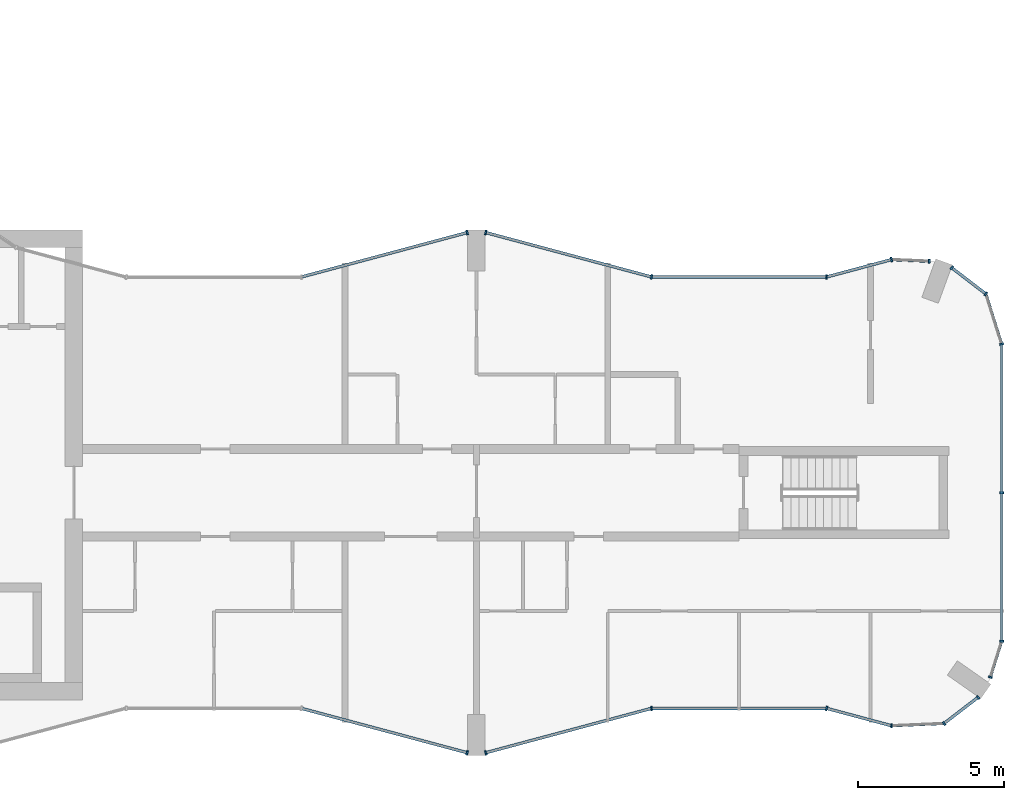
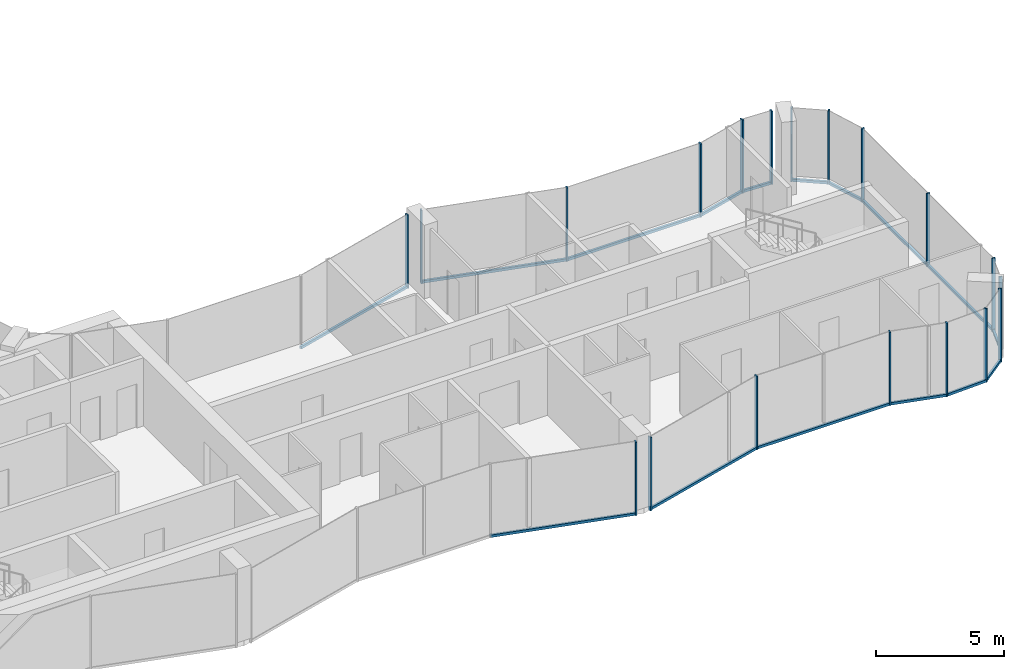
# One storey, part 6 of 15: 34 members, 15 elements without a shape of their own.
"""IFC4 building model written with IfcOpenShell, lengths in metres."""

from ifc_helpers import new_model, si_unit, direction, frame, origin, origin_2d, place, context, subcontext, project, spatial, rectangle, extrude, material, layer, layer_set, material_profile, profile_set, type_object, element, aggregate, save


model = new_model("IFC4")

# Units and contexts
model_context = context("Model", 3, precision=1e-05, world=origin(), true_north=direction((0.0, 1.0)))
body_context = subcontext(model_context, "Body", "Model", "MODEL_VIEW")
ifc_project = project(units=[si_unit("LENGTHUNIT", "METRE"), si_unit("AREAUNIT", "SQUARE_METRE"), si_unit("VOLUMEUNIT", "CUBIC_METRE"), si_unit("PLANEANGLEUNIT", "RADIAN"), si_unit("MASSUNIT", "GRAM", prefix="KILO")], contexts=[model_context])

# Site, building, storey
site_placement = place(None, origin())
site = spatial("IfcSite", under=ifc_project, at=site_placement, CompositionType="ELEMENT")
building_placement = place(site_placement, origin())
building = spatial("IfcBuilding", under=site, at=building_placement, Name="Plateau Cross Towers", CompositionType="ELEMENT")
storey_placement = place(building_placement, frame((0.0, 0.0, 153.39990234375)))
storey = spatial("IfcBuildingStorey", under=building, at=storey_placement, Name="L39", CompositionType="ELEMENT", Elevation=153.39990234375)

# Curtain wall, member
ifc_material_1 = material(Name="Dark low-iron glass", Category="glass")
ifc_layer_1 = layer(ifc_material_1, 0.239990234375)
ifc_layer_set_1 = layer_set([ifc_layer_1], Name="Dark low-iron glass")
curtain_wall_type_1 = type_object("IfcCurtainWallType", Name="Curtain wall flush unitised CW-B", PredefinedType="NOTDEFINED", material=ifc_layer_set_1)
curtain_wall_1_placement = place(storey_placement, origin())
curtain_wall_1 = element("IfcCurtainWall", 1, at=curtain_wall_1_placement, inside=storey, type_object=curtain_wall_type_1, Name="ENV/A/L39/A502_10", PredefinedType="NOTDEFINED")
ifc_material_2 = material(Name="Black anodised aluminium", Category="aluminium")
ifc_material_profile_1 = material_profile(ifc_material_2, rectangle(XDim=0.06005859375, YDim=0.139892578125, at=origin_2d()), Name="MULLION 60x140")
ifc_profile_set_1 = profile_set([ifc_material_profile_1], Name="Black anodised aluminium")
member_type_1 = type_object("IfcMemberType", Name="Mullion 60x140 flush unitised", PredefinedType="MULLION", material=ifc_profile_set_1)
member_1_placement = place(storey_placement, frame((50.223876953125, 1.01123046875, -0.25), z_axis=(0.0, 0.0, 1.0), x_axis=(0.999043701491, 0.043722791671, 0.0)))
member_1 = element("IfcMember", 2, at=member_1_placement, type_object=member_type_1, Name="CW-B mullion 1", PredefinedType="MULLION", context=body_context, shape_type="SweptSolid", body=[
    extrude(rectangle(XDim=0.06005859375, YDim=0.139892578125, at=origin_2d()), origin(), (0.0, 0.0, 1.0), 3.5),
])

# Curtain wall, members
curtain_wall_2_placement = place(storey_placement, origin())
curtain_wall_2 = element("IfcCurtainWall", 3, at=curtain_wall_2_placement, inside=storey, type_object=curtain_wall_type_1, Name="ENV/A/L39/A520_11", PredefinedType="NOTDEFINED")
member_2_placement = place(storey_placement, frame((52.0263671875, 1.090087890625, -0.25), z_axis=(0.0, 0.0, 1.0), x_axis=(0.793315514529, 0.608810721331, 0.0)))
member_2 = element("IfcMember", 4, at=member_2_placement, type_object=member_type_1, Name="CW-B mullion 1", PredefinedType="MULLION", context=body_context, shape_type="SweptSolid", body=[
    extrude(rectangle(XDim=0.06005859375, YDim=0.139892578125, at=origin_2d()), origin(), (0.0, 0.0, 1.0), 3.5),
])
member_3_placement = place(storey_placement, frame((53.193603515625, 1.986083984375, -0.25), z_axis=(0.0, 0.0, 1.0), x_axis=(0.793315514529, 0.608810721331, 0.0)))
member_3 = element("IfcMember", 5, at=member_3_placement, type_object=member_type_1, Name="CW-B mullion 2", PredefinedType="MULLION", context=body_context, shape_type="SweptSolid", body=[
    extrude(rectangle(XDim=0.06005859375, YDim=0.139892578125, at=origin_2d()), origin(), (0.0, 0.0, 1.0), 3.5),
])

# Curtain wall, member
curtain_wall_3_placement = place(storey_placement, origin())
curtain_wall_3 = element("IfcCurtainWall", 6, at=curtain_wall_3_placement, inside=storey, type_object=curtain_wall_type_1, Name="ENV/A/L39/A536_27", PredefinedType="NOTDEFINED")
member_4_placement = place(storey_placement, frame((53.611083984375, 2.67529296875, -0.25), z_axis=(0.0, 0.0, 1.0), x_axis=(0.300686174994, 0.95372313811, 0.0)))
member_4 = element("IfcMember", 7, at=member_4_placement, type_object=member_type_1, Name="CW-B mullion 1", PredefinedType="MULLION", context=body_context, shape_type="SweptSolid", body=[
    extrude(rectangle(XDim=0.06005859375, YDim=0.139892578125, at=origin_2d()), origin(), (0.0, 0.0, 1.0), 3.5),
])

# Curtain wall, members
curtain_wall_4_placement = place(storey_placement, origin())
curtain_wall_4 = element("IfcCurtainWall", 8, at=curtain_wall_4_placement, inside=storey, type_object=curtain_wall_type_1, Name="ENV/A/L39/A540_39", PredefinedType="NOTDEFINED")
member_5_placement = place(storey_placement, frame((54.0, 3.9091796875, -0.25), z_axis=(0.0, 0.0, 1.0), x_axis=(0.0, 1.0, 0.0)))
member_5 = element("IfcMember", 9, at=member_5_placement, type_object=member_type_1, Name="CW-B mullion 1", PredefinedType="MULLION", context=body_context, shape_type="SweptSolid", body=[
    extrude(rectangle(XDim=0.06005859375, YDim=0.139892578125, at=origin_2d()), origin(), (0.0, 0.0, 1.0), 3.5),
])
member_6_placement = place(storey_placement, frame((54.0, 9.0, -0.25), z_axis=(0.0, 0.0, 1.0), x_axis=(0.0, 1.0, 0.0)))
member_6 = element("IfcMember", 10, at=member_6_placement, type_object=member_type_1, Name="CW-B mullion 2", PredefinedType="MULLION", context=body_context, shape_type="SweptSolid", body=[
    extrude(rectangle(XDim=0.06005859375, YDim=0.139892578125, at=origin_2d()), origin(), (0.0, 0.0, 1.0), 3.5),
])

# Curtain wall, member
curtain_wall_5_placement = place(storey_placement, origin())
curtain_wall_5 = element("IfcCurtainWall", 11, at=curtain_wall_5_placement, inside=storey, type_object=curtain_wall_type_1, Name="ENV/A/L39/A540_141", PredefinedType="NOTDEFINED")
member_7_placement = place(storey_placement, frame((54.0, 14.0908203125, -0.25), z_axis=(0.0, 0.0, 1.0), x_axis=(-0.300686174994, 0.95372313811, 0.0)))
member_7 = element("IfcMember", 12, at=member_7_placement, type_object=member_type_1, Name="CW-B mullion 1", PredefinedType="MULLION", context=body_context, shape_type="SweptSolid", body=[
    extrude(rectangle(XDim=0.06005859375, YDim=0.139892578125, at=origin_2d()), origin(), (0.0, 0.0, 1.0), 3.5),
])

# Curtain wall, members
curtain_wall_6_placement = place(storey_placement, origin())
curtain_wall_6 = element("IfcCurtainWall", 13, at=curtain_wall_6_placement, inside=storey, type_object=curtain_wall_type_1, Name="ENV/A/L39/A535_158", PredefinedType="NOTDEFINED")
member_8_placement = place(storey_placement, frame((53.45751953125, 15.8115234375, -0.25), z_axis=(0.0, 0.0, 1.0), x_axis=(-0.793315514529, 0.608810721331, 0.0)))
member_8 = element("IfcMember", 14, at=member_8_placement, type_object=member_type_1, Name="CW-B mullion 1", PredefinedType="MULLION", context=body_context, shape_type="SweptSolid", body=[
    extrude(rectangle(XDim=0.06005859375, YDim=0.139892578125, at=origin_2d()), origin(), (0.0, 0.0, 1.0), 3.5),
])
member_9_placement = place(storey_placement, frame((52.290283203125, 16.707275390625, -0.25), z_axis=(0.0, 0.0, 1.0), x_axis=(-0.793315514529, 0.608810721331, 0.0)))
member_9 = element("IfcMember", 15, at=member_9_placement, type_object=member_type_1, Name="CW-B mullion 2", PredefinedType="MULLION", context=body_context, shape_type="SweptSolid", body=[
    extrude(rectangle(XDim=0.06005859375, YDim=0.139892578125, at=origin_2d()), origin(), (0.0, 0.0, 1.0), 3.5),
])

# Curtain wall, member
curtain_wall_7_placement = place(storey_placement, origin())
curtain_wall_7 = element("IfcCurtainWall", 16, at=curtain_wall_7_placement, inside=storey, type_object=curtain_wall_type_1, Name="ENV/A/L39/A515_169", PredefinedType="NOTDEFINED")
member_10_placement = place(storey_placement, frame((51.516357421875, 16.93212890625, -0.25), z_axis=(0.0, 0.0, 1.0), x_axis=(-0.999043701491, 0.043722791671, 0.0)))
member_10 = element("IfcMember", 17, at=member_10_placement, type_object=member_type_1, Name="CW-B mullion 1", PredefinedType="MULLION", context=body_context, shape_type="SweptSolid", body=[
    extrude(rectangle(XDim=0.06005859375, YDim=0.139892578125, at=origin_2d()), origin(), (0.0, 0.0, 1.0), 3.5),
])

ifc_layer_2 = layer(ifc_material_1, 0.260009765625)
ifc_layer_set_2 = layer_set([ifc_layer_2], Name="Dark low-iron glass")
curtain_wall_type_2 = type_object("IfcCurtainWallType", Name="Curtain wall fluted unitised CW-A", PredefinedType="NOTDEFINED", material=ifc_layer_set_2)
curtain_wall_8_placement = place(storey_placement, origin())
curtain_wall_8 = element("IfcCurtainWall", 18, at=curtain_wall_8_placement, inside=storey, type_object=curtain_wall_type_2, Name="ENV/A/L39/A300_16", PredefinedType="NOTDEFINED")
ifc_material_profile_2 = material_profile(ifc_material_2, rectangle(XDim=0.06005859375, YDim=0.159912109375, at=origin_2d()), Name="MULLION 60x160")
ifc_profile_set_2 = profile_set([ifc_material_profile_2], Name="Black anodised aluminium")
member_type_2 = type_object("IfcMemberType", Name="Mullion 60x160 fluted unitised", PredefinedType="MULLION", material=ifc_profile_set_2)
member_11_placement = place(storey_placement, frame((35.68212890625, 0.085205078125, -0.25), z_axis=(0.0, 0.0, 1.0), x_axis=(0.965957983404, -0.258699003279, 0.0)))
member_11 = element("IfcMember", 19, at=member_11_placement, type_object=member_type_2, Name="CW-A mullion 2", PredefinedType="MULLION", context=body_context, shape_type="SweptSolid", body=[
    extrude(rectangle(XDim=0.06005859375, YDim=0.159912109375, at=origin_2d()), origin(), (0.0, 0.0, 1.0), 3.5),
])

curtain_wall_9_placement = place(storey_placement, origin())
curtain_wall_9 = element("IfcCurtainWall", 20, at=curtain_wall_9_placement, inside=storey, type_object=curtain_wall_type_2, Name="ENV/A/L39/A363_1", PredefinedType="NOTDEFINED")
member_12_placement = place(storey_placement, frame((36.31787109375, 0.085205078125, -0.25), z_axis=(0.0, 0.0, 1.0), x_axis=(0.965957983404, 0.258699003279, 0.0)))
member_12 = element("IfcMember", 21, at=member_12_placement, type_object=member_type_2, Name="CW-A mullion 1", PredefinedType="MULLION", context=body_context, shape_type="SweptSolid", body=[
    extrude(rectangle(XDim=0.06005859375, YDim=0.159912109375, at=origin_2d()), origin(), (0.0, 0.0, 1.0), 3.5),
])

curtain_wall_10_placement = place(storey_placement, origin())
curtain_wall_10 = element("IfcCurtainWall", 22, at=curtain_wall_10_placement, inside=storey, type_object=curtain_wall_type_2, Name="ENV/A/L39/A420_16", PredefinedType="NOTDEFINED")
member_13_placement = place(storey_placement, frame((42.0, 1.60693359375, -0.25), z_axis=(0.0, 0.0, 1.0), x_axis=(1.0, 0.0, 0.0)))
member_13 = element("IfcMember", 23, at=member_13_placement, type_object=member_type_2, Name="CW-A mullion 1", PredefinedType="MULLION", context=body_context, shape_type="SweptSolid", body=[
    extrude(rectangle(XDim=0.06005859375, YDim=0.159912109375, at=origin_2d()), origin(), (0.0, 0.0, 1.0), 3.5),
])

curtain_wall_11_placement = place(storey_placement, origin())
curtain_wall_11 = element("IfcCurtainWall", 24, at=curtain_wall_11_placement, inside=storey, type_object=curtain_wall_type_2, Name="ENV/A/L39/A480_16", PredefinedType="NOTDEFINED")
member_14_placement = place(storey_placement, frame((48.0, 1.60693359375, -0.25), z_axis=(0.0, 0.0, 1.0), x_axis=(0.965957962328, -0.258699081978, 0.0)))
member_14 = element("IfcMember", 25, at=member_14_placement, type_object=member_type_2, Name="CW-A mullion 1", PredefinedType="MULLION", context=body_context, shape_type="SweptSolid", body=[
    extrude(rectangle(XDim=0.06005859375, YDim=0.159912109375, at=origin_2d()), origin(), (0.0, 0.0, 1.0), 3.5),
])

curtain_wall_12_placement = place(storey_placement, origin())
curtain_wall_12 = element("IfcCurtainWall", 26, at=curtain_wall_12_placement, inside=storey, type_object=curtain_wall_type_2, Name="ENV/A/L39/A502_170", PredefinedType="NOTDEFINED")
member_15_placement = place(storey_placement, frame((50.223876953125, 16.98876953125, -0.25), z_axis=(0.0, 0.0, 1.0), x_axis=(-0.965957962328, -0.258699081978, 0.0)))
member_15 = element("IfcMember", 27, at=member_15_placement, type_object=member_type_2, Name="CW-A mullion 1", PredefinedType="MULLION", context=body_context, shape_type="SweptSolid", body=[
    extrude(rectangle(XDim=0.06005859375, YDim=0.159912109375, at=origin_2d()), origin(), (0.0, 0.0, 1.0), 3.5),
])

curtain_wall_13_placement = place(storey_placement, origin())
curtain_wall_13 = element("IfcCurtainWall", 28, at=curtain_wall_13_placement, inside=storey, type_object=curtain_wall_type_2, Name="ENV/A/L39/A480_164", PredefinedType="NOTDEFINED")
member_16_placement = place(storey_placement, frame((48.0, 16.39306640625, -0.25), z_axis=(0.0, 0.0, 1.0), x_axis=(-1.0, 0.0, 0.0)))
member_16 = element("IfcMember", 29, at=member_16_placement, type_object=member_type_2, Name="CW-A mullion 1", PredefinedType="MULLION", context=body_context, shape_type="SweptSolid", body=[
    extrude(rectangle(XDim=0.06005859375, YDim=0.159912109375, at=origin_2d()), origin(), (0.0, 0.0, 1.0), 3.5),
])

# Curtain wall, members
curtain_wall_14_placement = place(storey_placement, origin())
curtain_wall_14 = element("IfcCurtainWall", 30, at=curtain_wall_14_placement, inside=storey, type_object=curtain_wall_type_2, Name="ENV/A/L39/A420_164", PredefinedType="NOTDEFINED")
member_17_placement = place(storey_placement, frame((42.0, 16.39306640625, -0.25), z_axis=(0.0, 0.0, 1.0), x_axis=(-0.965957983404, 0.258699003279, 0.0)))
member_17 = element("IfcMember", 31, at=member_17_placement, type_object=member_type_2, Name="CW-A mullion 1", PredefinedType="MULLION", context=body_context, shape_type="SweptSolid", body=[
    extrude(rectangle(XDim=0.06005859375, YDim=0.159912109375, at=origin_2d()), origin(), (0.0, 0.0, 1.0), 3.5),
])
member_18_placement = place(storey_placement, frame((36.31787109375, 17.914794921875, -0.25), z_axis=(0.0, 0.0, 1.0), x_axis=(-0.965957983404, 0.258699003279, 0.0)))
member_18 = element("IfcMember", 32, at=member_18_placement, type_object=member_type_2, Name="CW-A mullion 2", PredefinedType="MULLION", context=body_context, shape_type="SweptSolid", body=[
    extrude(rectangle(XDim=0.06005859375, YDim=0.159912109375, at=origin_2d()), origin(), (0.0, 0.0, 1.0), 3.5),
])

# Curtain wall, member
curtain_wall_15_placement = place(storey_placement, origin())
curtain_wall_15 = element("IfcCurtainWall", 33, at=curtain_wall_15_placement, inside=storey, type_object=curtain_wall_type_2, Name="ENV/A/L39/A357_179", PredefinedType="NOTDEFINED")
member_19_placement = place(storey_placement, frame((35.68212890625, 17.914794921875, -0.25), z_axis=(0.0, 0.0, 1.0), x_axis=(-0.965957983404, -0.258699003279, 0.0)))
member_19 = element("IfcMember", 34, at=member_19_placement, type_object=member_type_2, Name="CW-A mullion 1", PredefinedType="MULLION", context=body_context, shape_type="SweptSolid", body=[
    extrude(rectangle(XDim=0.06005859375, YDim=0.159912109375, at=origin_2d()), origin(), (0.0, 0.0, 1.0), 3.5),
])

# Member
ifc_material_profile_3 = material_profile(ifc_material_2, rectangle(XDim=0.10009765625, YDim=0.1201171875, at=origin_2d()), Name="TRANSOM 100x120")
ifc_profile_set_3 = profile_set([ifc_material_profile_3], Name="Black anodised aluminium")
member_type_3 = type_object("IfcMemberType", Name="Transom 100x120 flush unitised", PredefinedType="USERDEFINED", material=ifc_profile_set_3)
member_20_placement = place(storey_placement, frame((50.223876953125, 1.01123046875, -0.18994140625), z_axis=(0.999044377355, 0.043707345779, 0.0), x_axis=(-0.043707345779, 0.999044377355, 0.0)))
member_20 = element("IfcMember", 35, at=member_20_placement, type_object=member_type_3, Name="CW-B transom", ObjectType="TRANSOM", PredefinedType="USERDEFINED", context=body_context, shape_type="SweptSolid", body=[
    extrude(rectangle(XDim=0.10009765625, YDim=0.1201171875, at=origin_2d()), origin(), (0.0, 0.0, 1.0), 1.80419921875),
])

aggregate(curtain_wall_1, [member_1, member_20])

member_21_placement = place(storey_placement, frame((52.0263671875, 1.090087890625, -0.18994140625), z_axis=(0.793240368515, 0.608908628415, 0.0), x_axis=(-0.608908628415, 0.793240368515, 0.0)))
member_21 = element("IfcMember", 36, at=member_21_placement, type_object=member_type_3, Name="CW-B transom", ObjectType="TRANSOM", PredefinedType="USERDEFINED", context=body_context, shape_type="SweptSolid", body=[
    extrude(rectangle(XDim=0.10009765625, YDim=0.1201171875, at=origin_2d()), origin(), (0.0, 0.0, 1.0), 1.471435546875),
])

aggregate(curtain_wall_2, [member_2, member_3, member_21])

member_22_placement = place(storey_placement, frame((53.611083984375, 2.67529296875, -0.18994140625), z_axis=(0.300616528216, 0.953745093284, 0.0), x_axis=(-0.953745093284, 0.300616528216, 0.0)))
member_22 = element("IfcMember", 37, at=member_22_placement, type_object=member_type_3, Name="CW-B transom", ObjectType="TRANSOM", PredefinedType="USERDEFINED", context=body_context, shape_type="SweptSolid", body=[
    extrude(rectangle(XDim=0.10009765625, YDim=0.1201171875, at=origin_2d()), origin(), (0.0, 0.0, 1.0), 1.293701171875),
])

aggregate(curtain_wall_3, [member_4, member_22])

member_23_placement = place(storey_placement, frame((54.0, 3.9091796875, -0.18994140625), z_axis=(0.0, 1.0, 0.0), x_axis=(-1.0, 0.0, 0.0)))
member_23 = element("IfcMember", 38, at=member_23_placement, type_object=member_type_3, Name="CW-B transom", ObjectType="TRANSOM", PredefinedType="USERDEFINED", context=body_context, shape_type="SweptSolid", body=[
    extrude(rectangle(XDim=0.10009765625, YDim=0.1201171875, at=origin_2d()), origin(), (0.0, 0.0, 1.0), 10.181640625),
])

aggregate(curtain_wall_4, [member_5, member_6, member_23])

member_24_placement = place(storey_placement, frame((54.0, 14.0908203125, -0.18994140625), z_axis=(-0.30067799945, 0.953725715626, 0.0), x_axis=(-0.953725715626, -0.30067799945, 0.0)))
member_24 = element("IfcMember", 39, at=member_24_placement, type_object=member_type_3, Name="CW-B transom", ObjectType="TRANSOM", PredefinedType="USERDEFINED", context=body_context, shape_type="SweptSolid", body=[
    extrude(rectangle(XDim=0.10009765625, YDim=0.1201171875, at=origin_2d()), origin(), (0.0, 0.0, 1.0), 1.80419921875),
])

aggregate(curtain_wall_5, [member_7, member_24])

member_25_placement = place(storey_placement, frame((53.45751953125, 15.8115234375, -0.18994140625), z_axis=(-0.793320508571, 0.608804213751, 0.0), x_axis=(-0.608804213751, -0.793320508571, 0.0)))
member_25 = element("IfcMember", 40, at=member_25_placement, type_object=member_type_3, Name="CW-B transom", ObjectType="TRANSOM", PredefinedType="USERDEFINED", context=body_context, shape_type="SweptSolid", body=[
    extrude(rectangle(XDim=0.10009765625, YDim=0.1201171875, at=origin_2d()), origin(), (0.0, 0.0, 1.0), 1.471435546875),
])

aggregate(curtain_wall_6, [member_8, member_9, member_25])

member_26_placement = place(storey_placement, frame((51.516357421875, 16.93212890625, -0.18994140625), z_axis=(-0.999041144614, 0.043781175963, 0.0), x_axis=(-0.043781175963, -0.999041144614, 0.0)))
member_26 = element("IfcMember", 41, at=member_26_placement, type_object=member_type_3, Name="CW-B transom", ObjectType="TRANSOM", PredefinedType="USERDEFINED", context=body_context, shape_type="SweptSolid", body=[
    extrude(rectangle(XDim=0.10009765625, YDim=0.1201171875, at=origin_2d()), origin(), (0.0, 0.0, 1.0), 1.293701171875),
])

aggregate(curtain_wall_7, [member_10, member_26])

ifc_material_profile_4 = material_profile(ifc_material_2, rectangle(XDim=0.10009765625, YDim=0.1201171875, at=origin_2d()), Name="TRANSOM 100x120")
ifc_profile_set_4 = profile_set([ifc_material_profile_4], Name="Black anodised aluminium")
member_type_4 = type_object("IfcMemberType", Name="Transom 100x120 fluted unitised", PredefinedType="USERDEFINED", material=ifc_profile_set_4)
member_27_placement = place(storey_placement, frame((30.0, 1.60693359375, -0.18994140625), z_axis=(0.965959534794, -0.258693210465, 0.0), x_axis=(0.258693210465, 0.965959534794, 0.0)))
member_27 = element("IfcMember", 42, at=member_27_placement, type_object=member_type_4, Name="CW-A transom", ObjectType="TRANSOM", PredefinedType="USERDEFINED", context=body_context, shape_type="SweptSolid", body=[
    extrude(rectangle(XDim=0.10009765625, YDim=0.1201171875, at=origin_2d()), origin(), (0.0, 0.0, 1.0), 5.88232421875),
])

aggregate(curtain_wall_8, [member_11, member_27])

member_28_placement = place(storey_placement, frame((36.31787109375, 0.085205078125, -0.18994140625), z_axis=(0.965959534794, 0.258693210465, 0.0), x_axis=(-0.258693210465, 0.965959534794, 0.0)))
member_28 = element("IfcMember", 43, at=member_28_placement, type_object=member_type_4, Name="CW-A transom", ObjectType="TRANSOM", PredefinedType="USERDEFINED", context=body_context, shape_type="SweptSolid", body=[
    extrude(rectangle(XDim=0.10009765625, YDim=0.1201171875, at=origin_2d()), origin(), (0.0, 0.0, 1.0), 5.88232421875),
])

aggregate(curtain_wall_9, [member_12, member_28])

member_29_placement = place(storey_placement, frame((42.0, 1.60693359375, -0.18994140625), z_axis=(1.0, 0.0, 0.0), x_axis=(0.0, 1.0, 0.0)))
member_29 = element("IfcMember", 44, at=member_29_placement, type_object=member_type_4, Name="CW-A transom", ObjectType="TRANSOM", PredefinedType="USERDEFINED", context=body_context, shape_type="SweptSolid", body=[
    extrude(rectangle(XDim=0.10009765625, YDim=0.1201171875, at=origin_2d()), origin(), (0.0, 0.0, 1.0), 6.0),
])

aggregate(curtain_wall_10, [member_13, member_29])

member_30_placement = place(storey_placement, frame((48.0, 1.60693359375, -0.18994140625), z_axis=(0.965945685136, -0.258744919501, 0.0), x_axis=(0.258744919501, 0.965945685136, 0.0)))
member_30 = element("IfcMember", 45, at=member_30_placement, type_object=member_type_4, Name="CW-A transom", ObjectType="TRANSOM", PredefinedType="USERDEFINED", context=body_context, shape_type="SweptSolid", body=[
    extrude(rectangle(XDim=0.10009765625, YDim=0.1201171875, at=origin_2d()), origin(), (0.0, 0.0, 1.0), 2.30224609375),
])

aggregate(curtain_wall_11, [member_14, member_30])

member_31_placement = place(storey_placement, frame((50.223876953125, 16.98876953125, -0.18994140625), z_axis=(-0.965945685136, -0.258744919501, 0.0), x_axis=(0.258744919501, -0.965945685136, 0.0)))
member_31 = element("IfcMember", 46, at=member_31_placement, type_object=member_type_4, Name="CW-A transom", ObjectType="TRANSOM", PredefinedType="USERDEFINED", context=body_context, shape_type="SweptSolid", body=[
    extrude(rectangle(XDim=0.10009765625, YDim=0.1201171875, at=origin_2d()), origin(), (0.0, 0.0, 1.0), 2.30224609375),
])

aggregate(curtain_wall_12, [member_15, member_31])

member_32_placement = place(storey_placement, frame((48.0, 16.39306640625, -0.18994140625), z_axis=(-1.0, 0.0, 0.0), x_axis=(0.0, -1.0, 0.0)))
member_32 = element("IfcMember", 47, at=member_32_placement, type_object=member_type_4, Name="CW-A transom", ObjectType="TRANSOM", PredefinedType="USERDEFINED", context=body_context, shape_type="SweptSolid", body=[
    extrude(rectangle(XDim=0.10009765625, YDim=0.1201171875, at=origin_2d()), origin(), (0.0, 0.0, 1.0), 6.0),
])

aggregate(curtain_wall_13, [member_16, member_32])

member_33_placement = place(storey_placement, frame((42.0, 16.39306640625, -0.18994140625), z_axis=(-0.965959534794, 0.258693210465, 0.0), x_axis=(-0.258693210465, -0.965959534794, 0.0)))
member_33 = element("IfcMember", 48, at=member_33_placement, type_object=member_type_4, Name="CW-A transom", ObjectType="TRANSOM", PredefinedType="USERDEFINED", context=body_context, shape_type="SweptSolid", body=[
    extrude(rectangle(XDim=0.10009765625, YDim=0.1201171875, at=origin_2d()), origin(), (0.0, 0.0, 1.0), 5.88232421875),
])

aggregate(curtain_wall_14, [member_17, member_18, member_33])

member_34_placement = place(storey_placement, frame((35.68212890625, 17.914794921875, -0.18994140625), z_axis=(-0.965959534794, -0.258693210465, 0.0), x_axis=(0.258693210465, -0.965959534794, 0.0)))
member_34 = element("IfcMember", 49, at=member_34_placement, type_object=member_type_4, Name="CW-A transom", ObjectType="TRANSOM", PredefinedType="USERDEFINED", context=body_context, shape_type="SweptSolid", body=[
    extrude(rectangle(XDim=0.10009765625, YDim=0.1201171875, at=origin_2d()), origin(), (0.0, 0.0, 1.0), 5.88232421875),
])

aggregate(curtain_wall_15, [member_19, member_34])

save(model, "model.ifc")
